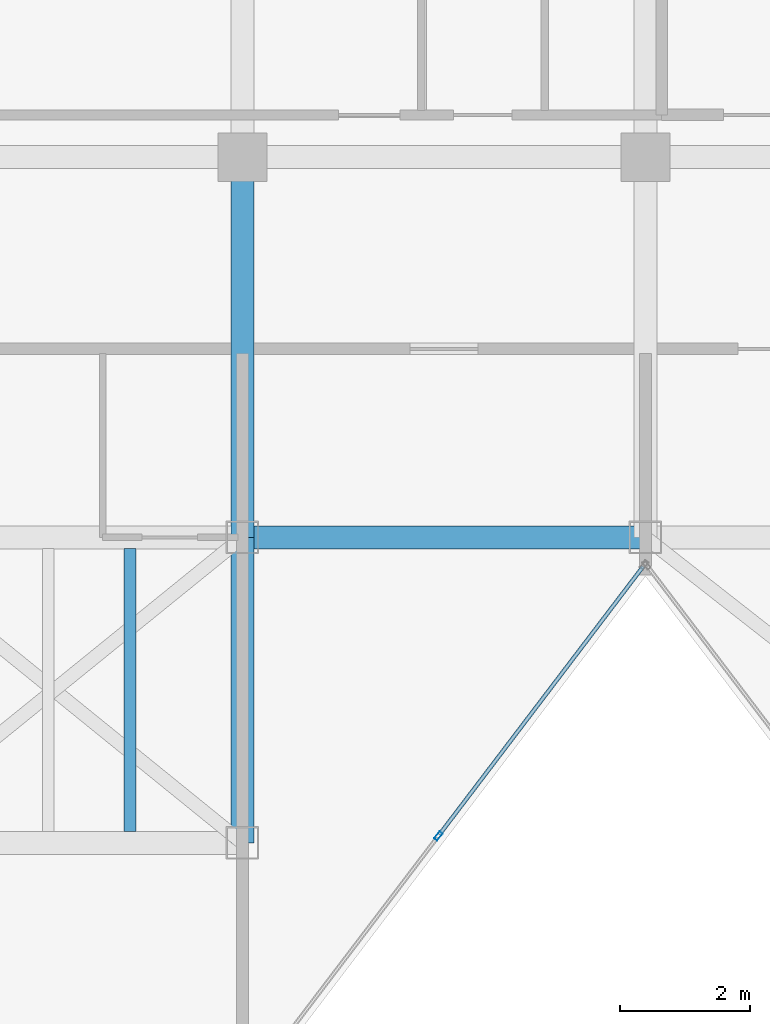
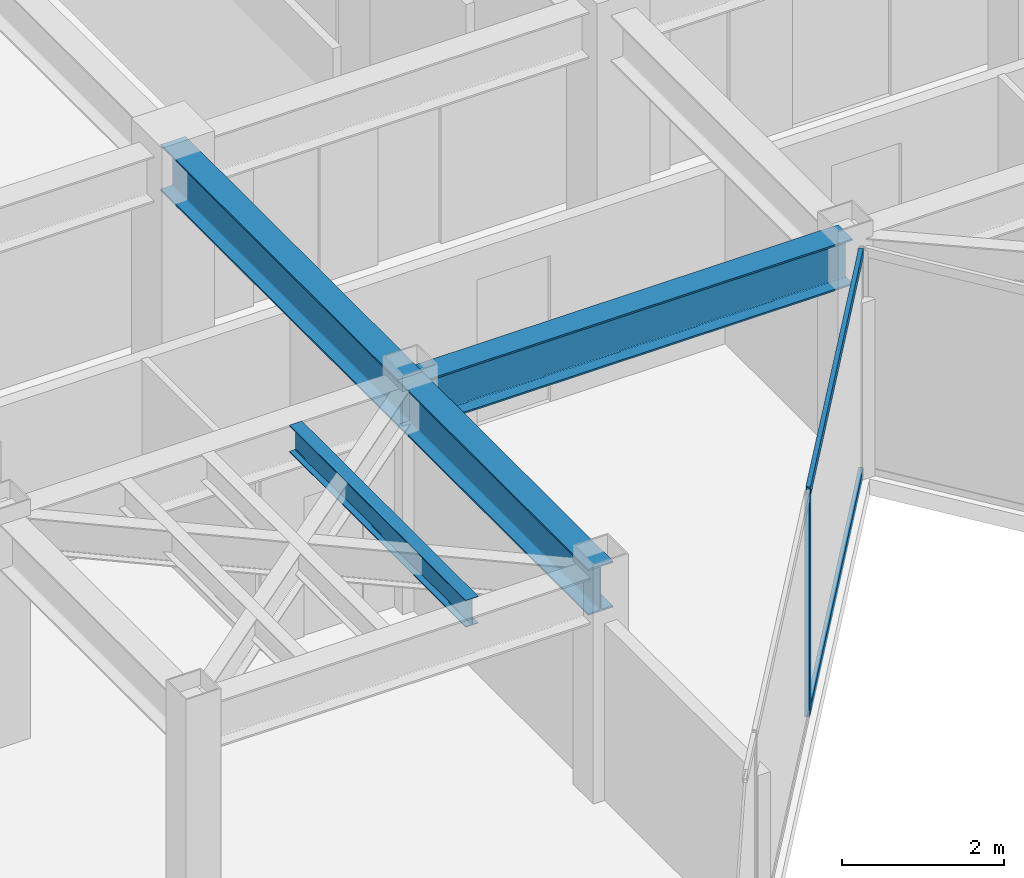
# One storey, part 5 of 19: 4 beams, 3 members, 1 element without a shape of its own.
"""IFC4 building model written with IfcOpenShell, lengths in metres."""

from ifc_helpers import new_model, si_unit, direction, frame, origin, origin_2d, place, context, subcontext, project, spatial, hollow_rectangle, i_section, extrude, material, layer, layer_set, material_profile, profile_set, type_object, element, aggregate, save


model = new_model("IFC4")

# Units and contexts
model_context = context("Model", 3, precision=1e-05, world=origin(), true_north=direction((0.0, 1.0)))
body_context = subcontext(model_context, "Body", "Model", "MODEL_VIEW")
ifc_project = project(units=[si_unit("LENGTHUNIT", "METRE"), si_unit("AREAUNIT", "SQUARE_METRE"), si_unit("VOLUMEUNIT", "CUBIC_METRE"), si_unit("PLANEANGLEUNIT", "RADIAN"), si_unit("MASSUNIT", "GRAM", prefix="KILO")], contexts=[model_context])

# Site, building, storey
site_placement = place(None, origin())
site = spatial("IfcSite", under=ifc_project, at=site_placement, CompositionType="ELEMENT")
building_placement = place(site_placement, origin())
building = spatial("IfcBuilding", under=site, at=building_placement, Name="Kravanh Interchange Tower", CompositionType="ELEMENT")
storey_placement = place(building_placement, frame((0.0, 0.0, 270.60009765625)))
storey = spatial("IfcBuildingStorey", under=building, at=storey_placement, Name="L66", CompositionType="ELEMENT", Elevation=270.60009765625)

# Curtain wall, members
ifc_material_1 = material(Name="Anodised Bronze Aluminium", Category="aluminium")
ifc_layer = layer(ifc_material_1, 0.179931640625)
ifc_layer_set = layer_set([ifc_layer], Name="Unitised Curtain Wall System CW-HTL Luxury Hotel")
curtain_wall_type = type_object("IfcCurtainWallType", Name="Unitised Curtain Wall System CW-HTL Luxury Hotel", PredefinedType="NOTDEFINED", material=ifc_layer_set)
curtain_wall_placement = place(storey_placement, origin())
curtain_wall = element("IfcCurtainWall", 1, at=curtain_wall_placement, inside=storey, type_object=curtain_wall_type, Name="L66 Unitised Curtain Wall CW-L66-05", PredefinedType="NOTDEFINED")
ifc_material_2 = material(Name="Anodised Bronze Aluminium", Category="aluminium")
ifc_material_profile_1 = material_profile(ifc_material_2, hollow_rectangle(XDim=0.06005859375, YDim=0.139892578125, WallThickness=0.00390625, at=origin_2d()), Name="ALU60X140X4")
ifc_profile_set_1 = profile_set([ifc_material_profile_1], Name="Anodised Bronze Aluminium")
member_type_1 = type_object("IfcMemberType", Name="Curtain Wall Mullion ALU60X140X4 Bronze", PredefinedType="MULLION", material=ifc_profile_set_1)
member_1_placement = place(storey_placement, frame((41.613525390625, 26.905517578125, 0.0), z_axis=(0.0, 0.0, 1.0), x_axis=(0.79616243806, -0.605082946564, 0.0)))
member_1 = element("IfcMember", 2, at=member_1_placement, type_object=member_type_1, Name="CW-HTL mullion 2", PredefinedType="MULLION", context=body_context, shape_type="SweptSolid", body=[
    extrude(hollow_rectangle(XDim=0.06005859375, YDim=0.139892578125, WallThickness=0.00390625, at=origin_2d()), origin(), (0.0, 0.0, 1.0), 3.35986328125),
])
ifc_material_3 = material(Name="Anodised Bronze Aluminium", Category="aluminium")
ifc_material_profile_2 = material_profile(ifc_material_3, hollow_rectangle(XDim=0.06005859375, YDim=0.139892578125, WallThickness=0.00390625, at=origin_2d()), Name="ALU60X140X4")
ifc_profile_set_2 = profile_set([ifc_material_profile_2], Name="Anodised Bronze Aluminium")
member_type_2 = type_object("IfcMemberType", Name="Curtain Wall Transom ALU60X140X4 Bronze", PredefinedType="USERDEFINED", material=ifc_profile_set_2)
member_2_placement = place(storey_placement, frame((44.763671875, 31.050537109375, 0.02978515625), z_axis=(-0.605089246946, -0.796157649734, 0.0), x_axis=(0.796157649734, -0.605089246946, 0.0)))
member_2 = element("IfcMember", 3, at=member_2_placement, type_object=member_type_2, Name="CW-HTL transom 1.1", ObjectType="TRANSOM", PredefinedType="USERDEFINED", context=body_context, shape_type="SweptSolid", body=[
    extrude(hollow_rectangle(XDim=0.06005859375, YDim=0.139892578125, WallThickness=0.00390625, at=origin_2d()), origin(), (0.0, 0.0, 1.0), 5.17626953125),
])
member_3_placement = place(storey_placement, frame((44.763671875, 31.050537109375, 3.329833984375), z_axis=(-0.605089246946, -0.796157649734, 0.0), x_axis=(0.796157649734, -0.605089246946, 0.0)))
member_3 = element("IfcMember", 4, at=member_3_placement, type_object=member_type_2, Name="CW-HTL transom 1.2", ObjectType="TRANSOM", PredefinedType="USERDEFINED", context=body_context, shape_type="SweptSolid", body=[
    extrude(hollow_rectangle(XDim=0.06005859375, YDim=0.139892578125, WallThickness=0.00390625, at=origin_2d()), origin(), (0.0, 0.0, 1.0), 5.17626953125),
])
aggregate(curtain_wall, [member_1, member_2, member_3])

# Beams
ifc_material_4 = material(Name="Structural Steel S355", Category="steel")
ifc_material_profile_3 = material_profile(ifc_material_4, i_section(OverallWidth=0.35498046875, OverallDepth=0.696044921875, WebThickness=0.015380859375, FlangeThickness=0.02490234375, FilletRadius=0.02392578125, at=origin_2d()), Name="W27X146")
ifc_profile_set_3 = profile_set([ifc_material_profile_3], Name="Structural Steel S355")
beam_type_1 = type_object("IfcBeamType", Name="Floor Beam W27X146 Structural Steel S355", PredefinedType="BEAM", material=ifc_profile_set_3)
beam_1_placement = place(storey_placement, frame((44.800048828125, 31.5, 3.011962890625), z_axis=(-1.0, 0.0, 0.0), x_axis=(0.0, -1.0, 0.0)))
element("IfcBeam", 5, at=beam_1_placement, inside=storey, type_object=beam_type_1, Name="L66 Primary Floor Girder 3", PredefinedType="BEAM", context=body_context, shape_type="SweptSolid", body=[
    extrude(i_section(OverallWidth=0.35498046875, OverallDepth=0.696044921875, WebThickness=0.015380859375, FlangeThickness=0.02490234375, FilletRadius=0.02392578125, at=origin_2d()), origin(), (0.0, 0.0, 1.0), 6.199951171875),
])
beam_2_placement = place(storey_placement, frame((38.60009765625, 31.5, 3.011962890625), z_axis=(0.0, -1.0, 0.0), x_axis=(1.0, 0.0, 0.0)))
element("IfcBeam", 6, at=beam_2_placement, inside=storey, type_object=beam_type_1, Name="L66 Primary Floor Girder 17", PredefinedType="BEAM", context=body_context, shape_type="SweptSolid", body=[
    extrude(i_section(OverallWidth=0.35498046875, OverallDepth=0.696044921875, WebThickness=0.015380859375, FlangeThickness=0.02490234375, FilletRadius=0.02392578125, at=origin_2d()), origin(), (0.0, 0.0, 1.0), 4.699951171875),
])
beam_3_placement = place(storey_placement, frame((38.60009765625, 31.5, 3.011962890625), z_axis=(0.0, 1.0, 0.0), x_axis=(-1.0, 0.0, 0.0)))
element("IfcBeam", 7, at=beam_3_placement, inside=storey, type_object=beam_type_1, Name="L66 Primary Floor Girder 19", PredefinedType="BEAM", context=body_context, shape_type="SweptSolid", body=[
    extrude(i_section(OverallWidth=0.35498046875, OverallDepth=0.696044921875, WebThickness=0.015380859375, FlangeThickness=0.02490234375, FilletRadius=0.02392578125, at=origin_2d()), origin(), (0.0, 0.0, 1.0), 5.85009765625),
])
ifc_material_5 = material(Name="Structural Steel S355", Category="steel")
ifc_material_profile_4 = material_profile(ifc_material_5, i_section(OverallWidth=0.177978515625, OverallDepth=0.406005859375, WebThickness=0.0078125, FlangeThickness=0.0126953125, FilletRadius=0.01611328125, at=origin_2d()), Name="W16X40")
ifc_profile_set_4 = profile_set([ifc_material_profile_4], Name="Structural Steel S355")
beam_type_2 = type_object("IfcBeamType", Name="Floor Joist W16X40 Structural Steel S355", PredefinedType="JOIST", material=ifc_profile_set_4)
beam_4_placement = place(storey_placement, frame((36.8701171875, 26.972412109375, 3.156982421875), z_axis=(0.0, 1.0, 0.0), x_axis=(-1.0, 0.0, 0.0)))
element("IfcBeam", 8, at=beam_4_placement, inside=storey, type_object=beam_type_2, Name="L66 Secondary Floor Joist 6", PredefinedType="JOIST", context=body_context, shape_type="SweptSolid", body=[
    extrude(i_section(OverallWidth=0.177978515625, OverallDepth=0.406005859375, WebThickness=0.0078125, FlangeThickness=0.0126953125, FilletRadius=0.01611328125, at=origin_2d()), origin(), (0.0, 0.0, 1.0), 4.35498046875),
])

save(model, "model.ifc")
